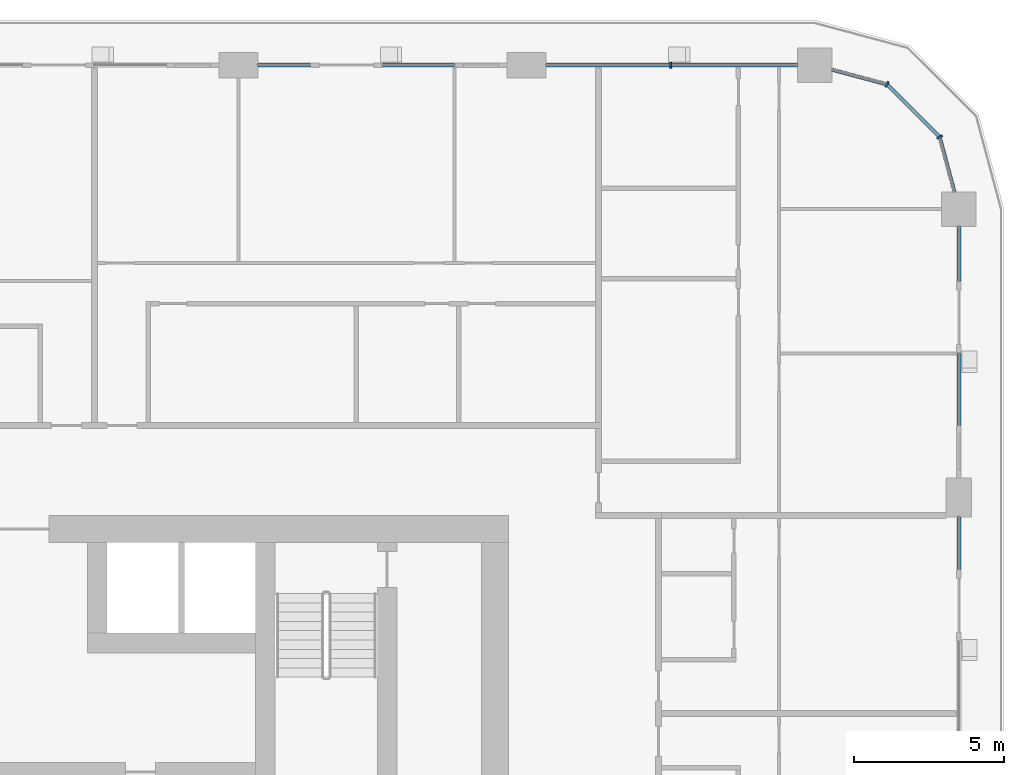
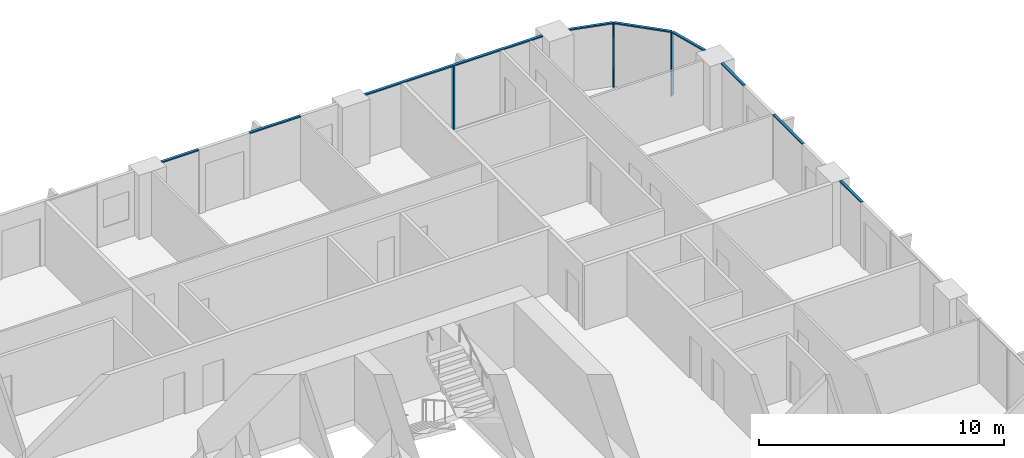
# One storey, part 6 of 21: 12 members, 5 elements without a shape of their own.
"""IFC4 building model written with IfcOpenShell, lengths in metres."""

from ifc_helpers import new_model, si_unit, direction, frame, origin, origin_2d, place, context, subcontext, project, spatial, rectangle, extrude, material, layer, layer_set, material_profile, profile_set, type_object, element, aggregate, save


model = new_model("IFC4")

# Units and contexts
model_context = context("Model", 3, precision=1e-05, world=origin(), true_north=direction((0.0, 1.0)))
body_context = subcontext(model_context, "Body", "Model", "MODEL_VIEW")
ifc_project = project(units=[si_unit("LENGTHUNIT", "METRE"), si_unit("AREAUNIT", "SQUARE_METRE"), si_unit("VOLUMEUNIT", "CUBIC_METRE"), si_unit("PLANEANGLEUNIT", "RADIAN"), si_unit("MASSUNIT", "GRAM", prefix="KILO")], contexts=[model_context])

# Site, building, storey
site_placement = place(None, origin())
site = spatial("IfcSite", under=ifc_project, at=site_placement, CompositionType="ELEMENT")
building_placement = place(site_placement, origin())
building = spatial("IfcBuilding", under=site, at=building_placement, Name="Madar Terraces", CompositionType="ELEMENT")
storey_placement = place(building_placement, frame((0.0, 0.0, 106.699951171875)))
storey = spatial("IfcBuildingStorey", under=building, at=storey_placement, Name="L27", CompositionType="ELEMENT", Elevation=106.699951171875)

# Curtain wall, member
ifc_material_1 = material(Name="Glass, ceramic frit dark grey, with black aluminium frame", Category="aluminium")
ifc_layer = layer(ifc_material_1, 0.199951171875)
ifc_layer_set = layer_set([ifc_layer], Name="Facade curtain wall, fritted glass")
curtain_wall_type = type_object("IfcCurtainWallType", Name="Facade curtain wall, fritted glass", PredefinedType="NOTDEFINED", material=ifc_layer_set)
curtain_wall_1_placement = place(storey_placement, origin())
curtain_wall_1 = element("IfcCurtainWall", 1, at=curtain_wall_1_placement, inside=storey, type_object=curtain_wall_type, Name="Outer skin curtain wall north bay 1", PredefinedType="NOTDEFINED")
ifc_material_2 = material(Name="Aluminium, black anodised", Category="aluminium")
ifc_material_profile_1 = material_profile(ifc_material_2, rectangle(XDim=0.199951171875, YDim=0.06005859375, at=origin_2d()), Name="Facade mullion 60x200")
ifc_profile_set_1 = profile_set([ifc_material_profile_1], Name="Aluminium, black anodised")
member_type_1 = type_object("IfcMemberType", Name="Facade mullion 60x200", PredefinedType="MULLION", material=ifc_profile_set_1)
member_1_placement = place(storey_placement, frame((52.800048828125, 52.800048828125, 0.0), z_axis=(0.0, 0.0, 1.0), x_axis=(0.0, -1.0, 0.0)))
member_1 = element("IfcMember", 2, at=member_1_placement, type_object=member_type_1, Name="Mullion 1", PredefinedType="MULLION", context=body_context, shape_type="SweptSolid", body=[
    extrude(rectangle(XDim=0.199951171875, YDim=0.06005859375, at=origin_2d()), origin(), (0.0, 0.0, 1.0), 3.14013671875),
])

# Curtain wall, members
curtain_wall_2_placement = place(storey_placement, origin())
curtain_wall_2 = element("IfcCurtainWall", 3, at=curtain_wall_2_placement, inside=storey, type_object=curtain_wall_type, Name="Outer skin curtain wall north-east corner", PredefinedType="NOTDEFINED")
member_2_placement = place(storey_placement, frame((61.7568359375, 50.39990234375, 0.0), z_axis=(0.0, 0.0, 1.0), x_axis=(-0.866025409797, -0.499999989586, 0.0)))
member_2 = element("IfcMember", 4, at=member_2_placement, type_object=member_type_1, Name="Mullion 1", PredefinedType="MULLION", context=body_context, shape_type="SweptSolid", body=[
    extrude(rectangle(XDim=0.199951171875, YDim=0.06005859375, at=origin_2d()), origin(), (0.0, 0.0, 1.0), 3.14013671875),
])
member_3_placement = place(storey_placement, frame((60.0, 52.156982421875, 0.0), z_axis=(0.0, 0.0, 1.0), x_axis=(-0.499999989586, -0.866025409797, 0.0)))
member_3 = element("IfcMember", 5, at=member_3_placement, type_object=member_type_1, Name="Mullion 2", PredefinedType="MULLION", context=body_context, shape_type="SweptSolid", body=[
    extrude(rectangle(XDim=0.199951171875, YDim=0.06005859375, at=origin_2d()), origin(), (0.0, 0.0, 1.0), 3.14013671875),
])

# Curtain wall, member
curtain_wall_3_placement = place(storey_placement, origin())
curtain_wall_3 = element("IfcCurtainWall", 6, at=curtain_wall_3_placement, inside=storey, type_object=curtain_wall_type, Name="Outer skin curtain wall east bay 3", PredefinedType="NOTDEFINED")
ifc_material_3 = material(Name="Aluminium, black anodised", Category="aluminium")
ifc_material_profile_2 = material_profile(ifc_material_3, rectangle(XDim=0.1201171875, YDim=0.06005859375, at=origin_2d()), Name="Facade transom 60x120")
ifc_profile_set_2 = profile_set([ifc_material_profile_2], Name="Aluminium, black anodised")
member_type_2 = type_object("IfcMemberType", Name="Facade transom 60x120", PredefinedType="USERDEFINED", material=ifc_profile_set_2)
member_4_placement = place(storey_placement, frame((62.39990234375, 36.0, 3.170166015625), z_axis=(0.0, 1.0, 0.0), x_axis=(-1.0, 0.0, 0.0)))
member_4 = element("IfcMember", 7, at=member_4_placement, type_object=member_type_2, Name="Transom 2", ObjectType="TRANSOM", PredefinedType="USERDEFINED", context=body_context, shape_type="SweptSolid", body=[
    extrude(rectangle(XDim=0.1201171875, YDim=0.06005859375, at=origin_2d()), origin(), (0.0, 0.0, 1.0), 1.75),
])
aggregate(curtain_wall_3, [member_4])

# Curtain wall, members
curtain_wall_4_placement = place(storey_placement, origin())
curtain_wall_4 = element("IfcCurtainWall", 8, at=curtain_wall_4_placement, inside=storey, type_object=curtain_wall_type, Name="Outer skin curtain wall east bay 4", PredefinedType="NOTDEFINED")
member_5_placement = place(storey_placement, frame((62.39990234375, 40.800048828125, 3.170166015625), z_axis=(0.0, 1.0, 0.0), x_axis=(-1.0, 0.0, 0.0)))
member_5 = element("IfcMember", 9, at=member_5_placement, type_object=member_type_2, Name="Transom 1", ObjectType="TRANSOM", PredefinedType="USERDEFINED", context=body_context, shape_type="SweptSolid", body=[
    extrude(rectangle(XDim=0.1201171875, YDim=0.06005859375, at=origin_2d()), origin(), (0.0, 0.0, 1.0), 2.39990234375),
])
member_6_placement = place(storey_placement, frame((62.39990234375, 45.60009765625, 3.170166015625), z_axis=(0.0, 1.0, 0.0), x_axis=(-1.0, 0.0, 0.0)))
member_6 = element("IfcMember", 10, at=member_6_placement, type_object=member_type_2, Name="Transom 2", ObjectType="TRANSOM", PredefinedType="USERDEFINED", context=body_context, shape_type="SweptSolid", body=[
    extrude(rectangle(XDim=0.1201171875, YDim=0.06005859375, at=origin_2d()), origin(), (0.0, 0.0, 1.0), 1.824951171875),
])
aggregate(curtain_wall_4, [member_5, member_6])

# Member
member_7_placement = place(storey_placement, frame((57.02490234375, 52.800048828125, 3.170166015625), z_axis=(-1.0, 0.0, 0.0), x_axis=(0.0, -1.0, 0.0)))
member_7 = element("IfcMember", 11, at=member_7_placement, type_object=member_type_2, Name="Transom 1", ObjectType="TRANSOM", PredefinedType="USERDEFINED", context=body_context, shape_type="SweptSolid", body=[
    extrude(rectangle(XDim=0.1201171875, YDim=0.06005859375, at=origin_2d()), origin(), (0.0, 0.0, 1.0), 8.375),
])

aggregate(curtain_wall_1, [member_1, member_7])

# Curtain wall, members
curtain_wall_5_placement = place(storey_placement, origin())
curtain_wall_5 = element("IfcCurtainWall", 12, at=curtain_wall_5_placement, inside=storey, type_object=curtain_wall_type, Name="Outer skin curtain wall north bay 2", PredefinedType="NOTDEFINED")
member_8_placement = place(storey_placement, frame((45.60009765625, 52.800048828125, 3.170166015625), z_axis=(-1.0, 0.0, 0.0), x_axis=(0.0, -1.0, 0.0)))
member_8 = element("IfcMember", 13, at=member_8_placement, type_object=member_type_2, Name="Transom 1", ObjectType="TRANSOM", PredefinedType="USERDEFINED", context=body_context, shape_type="SweptSolid", body=[
    extrude(rectangle(XDim=0.1201171875, YDim=0.06005859375, at=origin_2d()), origin(), (0.0, 0.0, 1.0), 2.400146484375),
])
member_9_placement = place(storey_placement, frame((40.800048828125, 52.800048828125, 3.170166015625), z_axis=(-1.0, 0.0, 0.0), x_axis=(0.0, -1.0, 0.0)))
member_9 = element("IfcMember", 14, at=member_9_placement, type_object=member_type_2, Name="Transom 2", ObjectType="TRANSOM", PredefinedType="USERDEFINED", context=body_context, shape_type="SweptSolid", body=[
    extrude(rectangle(XDim=0.1201171875, YDim=0.06005859375, at=origin_2d()), origin(), (0.0, 0.0, 1.0), 1.75),
])
aggregate(curtain_wall_5, [member_8, member_9])

# Member
member_10_placement = place(storey_placement, frame((62.245849609375, 48.574951171875, 3.170166015625), z_axis=(-0.258782024434, 0.965935745187, 0.0), x_axis=(-0.965935745187, -0.258782024434, 0.0)))
member_10 = element("IfcMember", 15, at=member_10_placement, type_object=member_type_2, Name="Transom 1", ObjectType="TRANSOM", PredefinedType="USERDEFINED", context=body_context, shape_type="SweptSolid", body=[
    extrude(rectangle(XDim=0.1201171875, YDim=0.06005859375, at=origin_2d()), origin(), (0.0, 0.0, 1.0), 1.859375),
])

member_11_placement = place(storey_placement, frame((61.735595703125, 50.421142578125, 3.170166015625), z_axis=(-0.707056433593, 0.707157125196, 0.0), x_axis=(-0.707157125196, -0.707056433593, 0.0)))
member_11 = element("IfcMember", 16, at=member_11_placement, type_object=member_type_2, Name="Transom 2", ObjectType="TRANSOM", PredefinedType="USERDEFINED", context=body_context, shape_type="SweptSolid", body=[
    extrude(rectangle(XDim=0.1201171875, YDim=0.06005859375, at=origin_2d()), origin(), (0.0, 0.0, 1.0), 2.424560546875),
])

member_12_placement = place(storey_placement, frame((59.970947265625, 52.164794921875, 3.170166015625), z_axis=(-0.965926950947, 0.258814847786, 0.0), x_axis=(-0.258814847786, -0.965926950947, 0.0)))
member_12 = element("IfcMember", 17, at=member_12_placement, type_object=member_type_2, Name="Transom 3", ObjectType="TRANSOM", PredefinedType="USERDEFINED", context=body_context, shape_type="SweptSolid", body=[
    extrude(rectangle(XDim=0.1201171875, YDim=0.06005859375, at=origin_2d()), origin(), (0.0, 0.0, 1.0), 1.859130859375),
])

aggregate(curtain_wall_2, [member_2, member_10, member_3, member_11, member_12])

save(model, "model.ifc")
